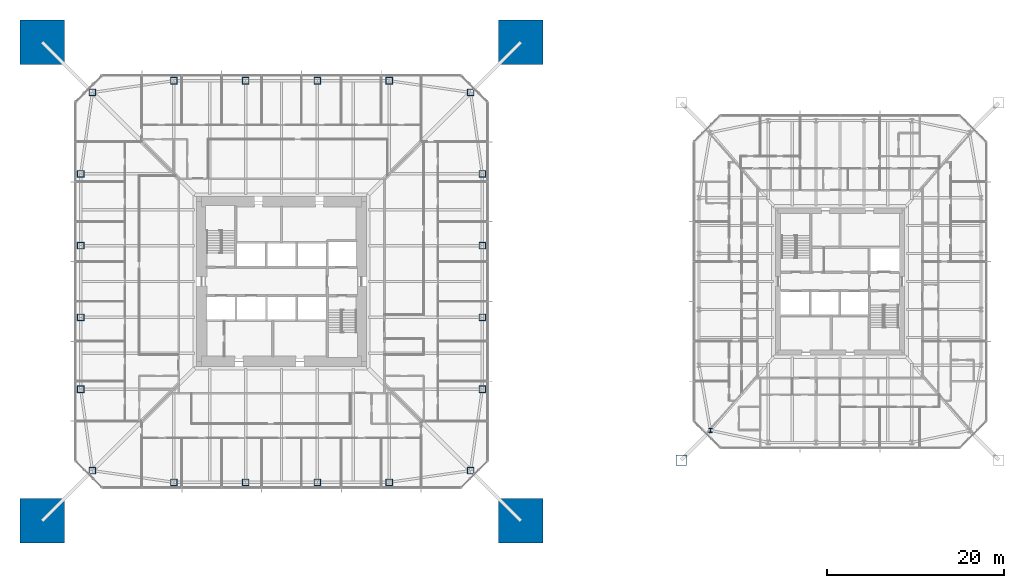
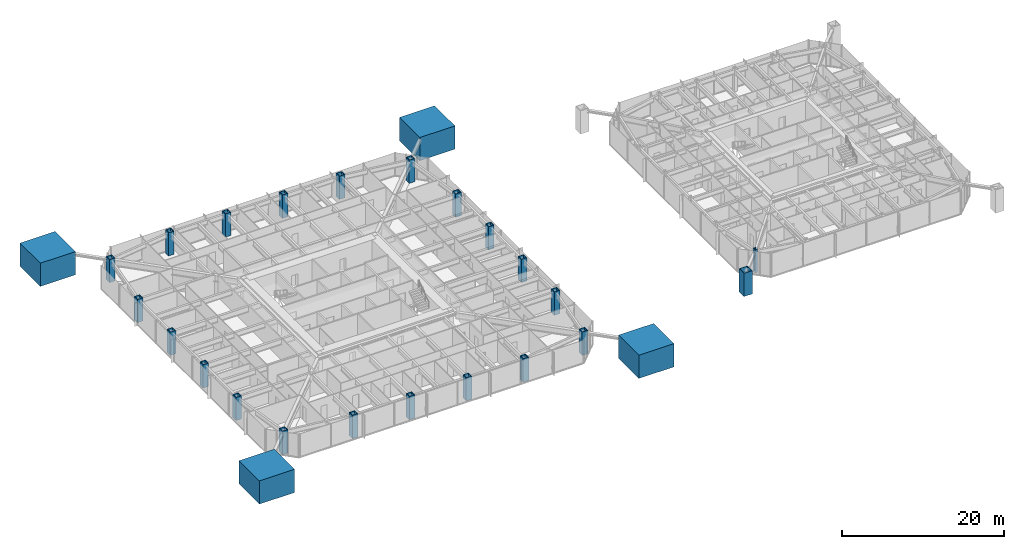
# One storey, part 1 of 26: 26 columns.
"""IFC4 building model written with IfcOpenShell, lengths in metres."""

import ifcopenshell
import ifcopenshell.guid

model = None  # the IFC model being written
_history = None  # IfcOwnerHistory: only IFC2X3 demands one
_inside = {}  # id of a spatial element -> (the spatial element, [elements in it])
_under = {}  # id of a project, library or spatial element -> (it, [spatial elements below it])
_declared = {}  # id of a project -> (the project, [libraries it declares])
_typed = {}  # id of a type object -> (the type object, [elements of that type])
_made_of = {}  # id of a material, layer set ... -> (it, [elements and type objects made of it])


def new_model(schema):
    """Start an empty IFC model of exactly this schema.

    Asked for "IFC4X3", IfcOpenShell would pick the latest addendum, in which some entities
    have other attributes; the version numbers below select the first issue.
    IFC2X3 requires an IfcOwnerHistory on every rooted entity: one is made here for all.
    """
    global model, _history
    if schema == "IFC4X3":
        model = ifcopenshell.file(schema_version=(4, 3, 0, 0))
    else:
        model = ifcopenshell.file(schema=schema)
    _inside.clear()
    _under.clear()
    _declared.clear()
    _typed.clear()
    _made_of.clear()
    _history = None
    if model.schema == "IFC2X3":
        org = make("IfcOrganization", Name="unknown")
        user = make(
            "IfcPersonAndOrganization",
            ThePerson=make("IfcPerson", FamilyName="unknown"),
            TheOrganization=org,
        )
        app = make(
            "IfcApplication",
            ApplicationDeveloper=org,
            Version="unknown",
            ApplicationFullName="unknown",
            ApplicationIdentifier="unknown",
        )
        _history = make(
            "IfcOwnerHistory",
            OwningUser=user,
            OwningApplication=app,
            ChangeAction="ADDED",
            CreationDate=0,
        )
    return model


def make(cls, **values):
    """One entity of the class cls with the attributes given. An attribute that is None is left unset."""
    return model.create_entity(
        cls, **{name: value for name, value in values.items() if value is not None}
    )


def rooted(cls, **values):
    """An entity with a GlobalId (a new one), such as an element, a storey or a relation."""
    return make(cls, GlobalId=ifcopenshell.guid.new(), OwnerHistory=_history, **values)


def si_unit(unit_type, name, prefix=None):
    """IfcSIUnit, for example si_unit("LENGTHUNIT", "METRE", prefix="MILLI")."""
    return make("IfcSIUnit", UnitType=unit_type, Prefix=prefix, Name=name)


def assignment(units):
    """IfcUnitAssignment: the units of a project."""
    return None if units is None else make("IfcUnitAssignment", Units=units)


def point(xyz):
    """IfcCartesianPoint."""
    return None if xyz is None else make("IfcCartesianPoint", Coordinates=xyz)


def direction(xyz):
    """IfcDirection."""
    return None if xyz is None else make("IfcDirection", DirectionRatios=xyz)


def frame(location, z_axis=None, x_axis=None):
    """IfcAxis2Placement3D, a coordinate frame: its origin and axes. An axis left out is left unset."""
    return make(
        "IfcAxis2Placement3D",
        Location=point(location),
        Axis=direction(z_axis),
        RefDirection=direction(x_axis),
    )


def frame_2d(location, x_axis=None):
    """IfcAxis2Placement2D, a coordinate frame in the plane: its origin and x axis."""
    return make(
        "IfcAxis2Placement2D", Location=point(location), RefDirection=direction(x_axis)
    )


def origin():
    """The frame at (0, 0, 0) with its axes left unset."""
    return frame((0.0, 0.0, 0.0))


def origin_2d():
    """The frame at (0, 0) in the plane with its x axis left unset."""
    return frame_2d((0.0, 0.0))


def place(relative_to, where):
    """IfcLocalPlacement: puts the frame where relative to a parent placement (None: the world)."""
    return make(
        "IfcLocalPlacement", PlacementRelTo=relative_to, RelativePlacement=where
    )


def context(
    kind, dimensions, precision=None, world=None, true_north=None, identifier=None
):
    """IfcGeometricRepresentationContext, for example the 3D "Model" context."""
    return make(
        "IfcGeometricRepresentationContext",
        ContextIdentifier=identifier,
        ContextType=kind,
        CoordinateSpaceDimension=dimensions,
        Precision=precision,
        WorldCoordinateSystem=world,
        TrueNorth=true_north,
    )


def subcontext(parent, identifier, kind, view, scale=None):
    """IfcGeometricRepresentationSubContext, for example "Body" below "Model"."""
    return make(
        "IfcGeometricRepresentationSubContext",
        ContextIdentifier=identifier,
        ContextType=kind,
        ParentContext=parent,
        TargetScale=scale,
        TargetView=view,
    )


def project(units=None, contexts=None):
    """IfcProject with its units and contexts."""
    return rooted(
        "IfcProject",
        Name="project",
        RepresentationContexts=contexts,
        UnitsInContext=assignment(units),
    )


def spatial(cls, under=None, at=None, **own):
    """A site, building, storey or space (cls), placed at a placement, below another one or the project."""
    s = rooted(cls, ObjectPlacement=at, **own)
    if under is not None:
        _under.setdefault(under.id(), (under, []))[1].append(s)
    return s


def profile(cls, at=None, kind="AREA", **sizes):
    """A parametric profile (cls). Its sizes go by their IFC names, for example OverallWidth=200.0."""
    return make(cls, ProfileType=kind, Position=at, **sizes)


def rectangle(**sizes):
    """IfcRectangleProfileDef."""
    return profile("IfcRectangleProfileDef", **sizes)


def hollow_rectangle(**sizes):
    """IfcRectangleHollowProfileDef."""
    return profile("IfcRectangleHollowProfileDef", **sizes)


def i_section(**sizes):
    """IfcIShapeProfileDef."""
    return profile("IfcIShapeProfileDef", **sizes)


def extrude(swept, where, along, depth):
    """IfcExtrudedAreaSolid: the profile swept, set in the frame where, extruded along a direction by depth."""
    return make(
        "IfcExtrudedAreaSolid",
        SweptArea=swept,
        Position=where,
        ExtrudedDirection=direction(along),
        Depth=depth,
    )


def shape(context_of_items, identifier, shape_type, items):
    """IfcShapeRepresentation: the items that make up one representation, for example the "Body"."""
    return make(
        "IfcShapeRepresentation",
        ContextOfItems=context_of_items,
        RepresentationIdentifier=identifier,
        RepresentationType=shape_type,
        Items=items,
    )


def material(Name=None, Category=None):
    """IfcMaterial."""
    return make("IfcMaterial", Name=Name, Category=Category)


def material_profile(
    of_material, cross_section, Name=None, Category=None, Priority=None
):
    """IfcMaterialProfile: a cross section and its material."""
    return make(
        "IfcMaterialProfile",
        Name=Name,
        Material=of_material,
        Profile=cross_section,
        Priority=Priority,
        Category=Category,
    )


def profile_set(profiles, Name=None, composite=None):
    """IfcMaterialProfileSet."""
    return make(
        "IfcMaterialProfileSet",
        Name=Name,
        MaterialProfiles=profiles,
        CompositeProfile=composite,
    )


def made_of(thing, what):
    """Note that an element or type object is made of a material, layer set ...; save() writes the relation."""
    if what is not None:
        _made_of.setdefault(what.id(), (what, []))[1].append(thing)
    return thing


def type_object(cls, material=None, **own):
    """A type object (cls), such as IfcWallType, which elements share."""
    return made_of(rooted(cls, **own), material)


def element(
    cls,
    number,
    at=None,
    inside=None,
    cuts=None,
    type_object=None,
    material=None,
    context=None,
    identifier="Body",
    shape_type=None,
    held_by="IfcProductDefinitionShape",
    body=None,
    shapes=None,
    **own,
):
    """One element of the class cls, such as IfcWall. Its Tag is "e" and its number.

    at: its placement. inside: the storey or other place that contains it. cuts: it is an
    opening in that element (IfcRelVoidsElement). A single representation is given by context,
    identifier, shape_type and body (its items); several are given by shapes. held_by: the class
    of the entity that holds the representations. save() writes the other relations.
    """
    e = rooted(cls, Tag="e%d" % number, ObjectPlacement=at, **own)
    if body is not None:
        shapes = [shape(context, identifier, shape_type, body)]
    if shapes is not None:
        e.Representation = make(held_by, Representations=shapes)
    if inside is not None:
        _inside.setdefault(inside.id(), (inside, []))[1].append(e)
    if cuts is not None:
        rooted(
            "IfcRelVoidsElement", RelatingBuildingElement=cuts, RelatedOpeningElement=e
        )
    if type_object is not None:
        _typed.setdefault(type_object.id(), (type_object, []))[1].append(e)
    return made_of(e, material)


def aggregate(whole, parts):
    """IfcRelAggregates: a whole, such as a stair, and the parts it consists of."""
    return rooted("IfcRelAggregates", RelatingObject=whole, RelatedObjects=parts)


def save(model, path):
    """Write the relations noted so far, then the file.

    IfcRelAggregates (storeys below a building ...), IfcRelContainedInSpatialStructure (elements
    in a storey), IfcRelDefinesByType, IfcRelAssociatesMaterial and IfcRelDeclares: one each for
    every whole, place, type object, material and project.
    """
    for whole, parts in _under.values():
        aggregate(whole, parts)
    for where, things in _inside.values():
        rooted(
            "IfcRelContainedInSpatialStructure",
            RelatedElements=things,
            RelatingStructure=where,
        )
    for kind, things in _typed.values():
        rooted("IfcRelDefinesByType", RelatedObjects=things, RelatingType=kind)
    for what, things in _made_of.values():
        rooted("IfcRelAssociatesMaterial", RelatedObjects=things, RelatingMaterial=what)
    for by, libraries in _declared.values():
        rooted("IfcRelDeclares", RelatingContext=by, RelatedDefinitions=libraries)
    model.write(path)


model = new_model("IFC4")

# Units and contexts
model_context = context("Model", 3, precision=1e-05, world=origin(), true_north=direction((0.0, 1.0)))
body_context = subcontext(model_context, "Body", "Model", "MODEL_VIEW")
ifc_project = project(units=[si_unit("LENGTHUNIT", "METRE"), si_unit("AREAUNIT", "SQUARE_METRE"), si_unit("VOLUMEUNIT", "CUBIC_METRE"), si_unit("PLANEANGLEUNIT", "RADIAN"), si_unit("MASSUNIT", "GRAM", prefix="KILO")], contexts=[model_context])

# Site, building, storey
site_placement = place(None, origin())
site = spatial("IfcSite", under=ifc_project, at=site_placement, CompositionType="ELEMENT")
building_placement = place(site_placement, origin())
building = spatial("IfcBuilding", under=site, at=building_placement, Name="Iwan Alto Co-Living Towers", CompositionType="ELEMENT")
storey_placement = place(building_placement, frame((0.0, 0.0, 22.0)))
storey = spatial("IfcBuildingStorey", under=building, at=storey_placement, Name="L05", CompositionType="ELEMENT", Elevation=22.0)

# Columns
ifc_material_1 = material(Name="Concrete f'c 70 MPa", Category="concrete")
ifc_material_profile_1 = material_profile(ifc_material_1, rectangle(XDim=5.0, YDim=5.0, at=origin_2d()), Name="RC 5000X5000")
ifc_profile_set_1 = profile_set([ifc_material_profile_1], Name="Concrete f'c 70 MPa")
column_type_1 = type_object("IfcColumnType", Name="T1 MEGA COLUMN RC 5000X5000", PredefinedType="COLUMN", material=ifc_profile_set_1)
for number, where, z_axis, x_axis, name in (
    (1, (-27.0, -27.0, 0.0), (0.0, 0.0, 1.0), (1.0, 0.0, 0.0), "T1 mega column SW L05"),
    (2, (27.0, -27.0, 0.0), (0.0, 0.0, 1.0), (1.0, 0.0, 0.0), "T1 mega column SE L05"),
    (3, (27.0, 27.0, 0.0), (0.0, 0.0, 1.0), (1.0, 0.0, 0.0), "T1 mega column NE L05"),
    (4, (-27.0, 27.0, 0.0), (0.0, 0.0, 1.0), (1.0, 0.0, 0.0), "T1 mega column NW L05"),
):
    element("IfcColumn", number, at=place(storey_placement, frame(where, z_axis=z_axis, x_axis=x_axis)), inside=storey, type_object=column_type_1, Name=name, PredefinedType="COLUMN", context=body_context, shape_type="SweptSolid", body=[
        extrude(rectangle(XDim=5.0, YDim=5.0, at=origin_2d()), origin(), (0.0, 0.0, 1.0), 3.5),
        extrude(i_section(OverallWidth=0.4775390625, OverallDepth=0.599365234375, WebThickness=0.10009765625, FlangeThickness=0.139892578125, at=origin_2d()), origin(), (0.0, 0.0, 1.0), 3.5),
    ])
ifc_material_2 = material(Name="Steel ASTM A572 Gr 50", Category="steel")
ifc_material_profile_2 = material_profile(ifc_material_2, hollow_rectangle(XDim=0.800048828125, YDim=0.800048828125, WallThickness=0.090087890625, at=origin_2d()), Name="BOX 800X800X90")
ifc_profile_set_2 = profile_set([ifc_material_profile_2], Name="Steel ASTM A572 Gr 50")
column_type_2 = type_object("IfcColumnType", Name="T1 RING COLUMN BOX 800X800X90", PredefinedType="COLUMN", material=ifc_profile_set_2)
for number, where, z_axis, x_axis, name in (
    (5, (-21.32568359375, -21.32568359375, 0.0), (0.0, 0.0, 1.0), (1.0, 0.0, 0.0), "T1 ring column CSW L05"),
    (6, (-12.14990234375, -22.64990234375, 0.0), (0.0, 0.0, 1.0), (1.0, 0.0, 0.0), "T1 ring column S1 L05"),
    (7, (-4.050048828125, -22.64990234375, 0.0), (0.0, 0.0, 1.0), (1.0, 0.0, 0.0), "T1 ring column S2 L05"),
    (8, (4.050048828125, -22.64990234375, 0.0), (0.0, 0.0, 1.0), (1.0, 0.0, 0.0), "T1 ring column S3 L05"),
    (9, (12.14990234375, -22.64990234375, 0.0), (0.0, 0.0, 1.0), (1.0, 0.0, 0.0), "T1 ring column S4 L05"),
    (10, (21.32568359375, -21.32568359375, 0.0), (0.0, 0.0, 1.0), (1.0, 0.0, 0.0), "T1 ring column CSE L05"),
    (11, (22.64990234375, -12.14990234375, 0.0), (0.0, 0.0, 1.0), (1.0, 0.0, 0.0), "T1 ring column E1 L05"),
    (12, (22.64990234375, -4.050048828125, 0.0), (0.0, 0.0, 1.0), (1.0, 0.0, 0.0), "T1 ring column E2 L05"),
    (13, (22.64990234375, 4.050048828125, 0.0), (0.0, 0.0, 1.0), (1.0, 0.0, 0.0), "T1 ring column E3 L05"),
    (14, (22.64990234375, 12.14990234375, 0.0), (0.0, 0.0, 1.0), (1.0, 0.0, 0.0), "T1 ring column E4 L05"),
    (15, (21.32568359375, 21.32568359375, 0.0), (0.0, 0.0, 1.0), (1.0, 0.0, 0.0), "T1 ring column CNE L05"),
    (16, (12.14990234375, 22.64990234375, 0.0), (0.0, 0.0, 1.0), (1.0, 0.0, 0.0), "T1 ring column N1 L05"),
    (17, (4.050048828125, 22.64990234375, 0.0), (0.0, 0.0, 1.0), (1.0, 0.0, 0.0), "T1 ring column N2 L05"),
    (18, (-4.050048828125, 22.64990234375, 0.0), (0.0, 0.0, 1.0), (1.0, 0.0, 0.0), "T1 ring column N3 L05"),
    (19, (-12.14990234375, 22.64990234375, 0.0), (0.0, 0.0, 1.0), (1.0, 0.0, 0.0), "T1 ring column N4 L05"),
    (20, (-21.32568359375, 21.32568359375, 0.0), (0.0, 0.0, 1.0), (1.0, 0.0, 0.0), "T1 ring column CNW L05"),
    (21, (-22.64990234375, 12.14990234375, 0.0), (0.0, 0.0, 1.0), (1.0, 0.0, 0.0), "T1 ring column W1 L05"),
    (22, (-22.64990234375, 4.050048828125, 0.0), (0.0, 0.0, 1.0), (1.0, 0.0, 0.0), "T1 ring column W2 L05"),
    (23, (-22.64990234375, -4.050048828125, 0.0), (0.0, 0.0, 1.0), (1.0, 0.0, 0.0), "T1 ring column W3 L05"),
    (24, (-22.64990234375, -12.14990234375, 0.0), (0.0, 0.0, 1.0), (1.0, 0.0, 0.0), "T1 ring column W4 L05"),
):
    element("IfcColumn", number, at=place(storey_placement, frame(where, z_axis=z_axis, x_axis=x_axis)), inside=storey, type_object=column_type_2, Name=name, PredefinedType="COLUMN", context=body_context, shape_type="SweptSolid", body=[
        extrude(hollow_rectangle(XDim=0.800048828125, YDim=0.800048828125, WallThickness=0.090087890625, at=origin_2d()), origin(), (0.0, 0.0, 1.0), 3.5),
    ])
ifc_material_3 = material(Name="Steel ASTM A572 Gr 50", Category="steel")
ifc_material_profile_3 = material_profile(ifc_material_3, hollow_rectangle(XDim=1.199951171875, YDim=1.199951171875, WallThickness=0.070068359375, at=origin_2d()), Name="BOX 1200X1200X70")
ifc_profile_set_3 = profile_set([ifc_material_profile_3], Name="Steel ASTM A572 Gr 50")
column_type_3 = type_object("IfcColumnType", Name="T2 MEGA COLUMN BOX 1200X1200X70", PredefinedType="COLUMN", material=ifc_profile_set_3)
column_1_placement = place(storey_placement, frame((45.10009765625, -20.14990234375, 0.0), z_axis=(0.0, 0.0, 1.0), x_axis=(1.0, 0.0, 0.0)))
element("IfcColumn", 25, at=column_1_placement, inside=storey, type_object=column_type_3, Name="T2 mega column SW L05", PredefinedType="COLUMN", context=body_context, shape_type="SweptSolid", body=[
    extrude(hollow_rectangle(XDim=1.199951171875, YDim=1.199951171875, WallThickness=0.070068359375, at=origin_2d()), origin(), (0.0, 0.0, 1.0), 3.5),
])
ifc_material_4 = material(Name="Steel ASTM A992 Gr 50", Category="steel")
ifc_material_profile_4 = material_profile(ifc_material_4, i_section(OverallWidth=0.424072265625, OverallDepth=0.47509765625, WebThickness=0.0478515625, FlangeThickness=0.0771484375, at=origin_2d()), Name="W14X426")
ifc_profile_set_4 = profile_set([ifc_material_profile_4], Name="Steel ASTM A992 Gr 50")
column_type_4 = type_object("IfcColumnType", Name="T2 RING COLUMN W14X426", PredefinedType="COLUMN", material=ifc_profile_set_4)
column_2_placement = place(storey_placement, frame((48.393798828125, -16.797119140625, 0.0), z_axis=(0.0, 0.0, 1.0), x_axis=(1.0, 0.0, 0.0)))
element("IfcColumn", 26, at=column_2_placement, inside=storey, type_object=column_type_4, Name="T2 ring column CSW L05", PredefinedType="COLUMN", context=body_context, shape_type="SweptSolid", body=[
    extrude(i_section(OverallWidth=0.424072265625, OverallDepth=0.47509765625, WebThickness=0.0478515625, FlangeThickness=0.0771484375, at=origin_2d()), origin(), (0.0, 0.0, 1.0), 3.5),
])

save(model, "model.ifc")
